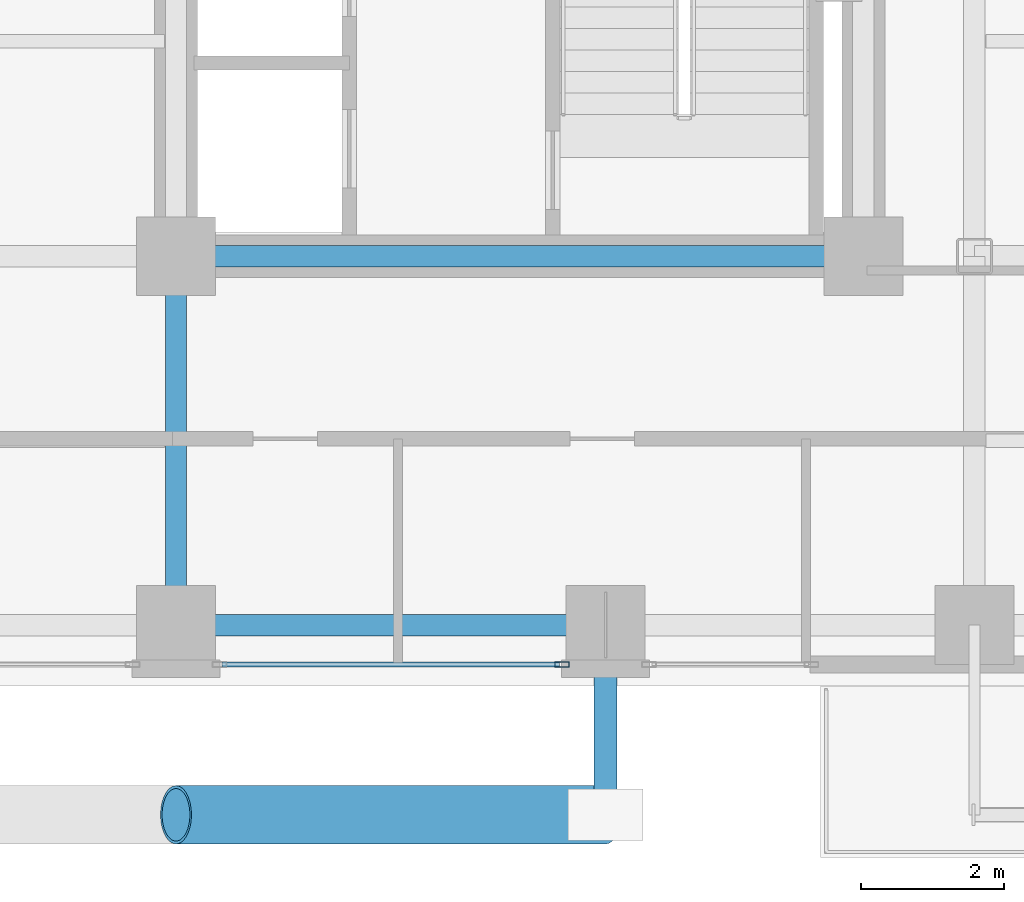
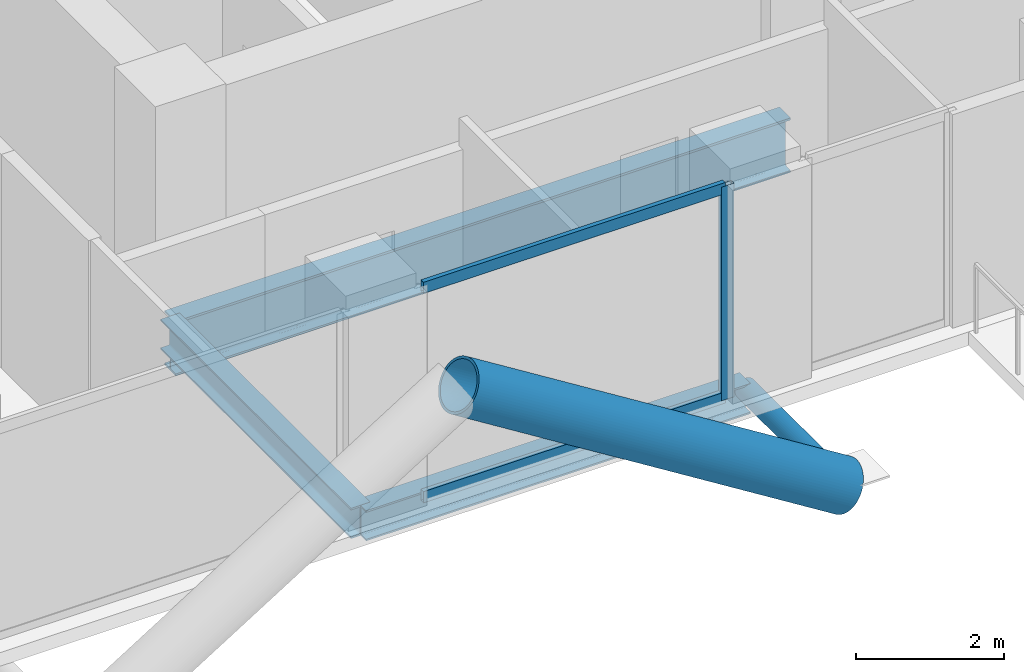
# One storey, part 5 of 28: 5 members, 3 beams, 1 element without a shape of its own.
"""IFC4 building model written with IfcOpenShell, lengths in metres."""

from ifc_helpers import new_model, si_unit, direction, frame, origin, origin_2d, place, context, subcontext, project, spatial, hollow_rectangle, hollow_circle, i_section, extrude, material, layer, layer_set, material_profile, profile_set, type_object, element, aggregate, save


model = new_model("IFC4")

# Units and contexts
model_context = context("Model", 3, precision=1e-05, world=origin(), true_north=direction((0.0, 1.0)))
body_context = subcontext(model_context, "Body", "Model", "MODEL_VIEW")
ifc_project = project(units=[si_unit("LENGTHUNIT", "METRE"), si_unit("AREAUNIT", "SQUARE_METRE"), si_unit("VOLUMEUNIT", "CUBIC_METRE"), si_unit("PLANEANGLEUNIT", "RADIAN"), si_unit("MASSUNIT", "GRAM", prefix="KILO"), si_unit("THERMODYNAMICTEMPERATUREUNIT", "KELVIN"), si_unit("POWERUNIT", "WATT")], contexts=[model_context])

# Site, building, storey
site_placement = place(None, origin())
site = spatial("IfcSite", under=ifc_project, at=site_placement, CompositionType="ELEMENT")
building_placement = place(site_placement, origin())
building = spatial("IfcBuilding", under=site, at=building_placement, Name="Svarakhadi Broadcast Tower", CompositionType="ELEMENT")
storey_placement = place(building_placement, frame((0.0, 0.0, 149.39990234375)))
storey = spatial("IfcBuildingStorey", under=building, at=storey_placement, Name="L36", CompositionType="ELEMENT", Elevation=149.39990234375)

# Curtain wall, members
ifc_material_1 = material(Name="Anodised Bronze Aluminium AA 6063-T6", Category="aluminium")
ifc_layer = layer(ifc_material_1, 0.199951171875)
ifc_layer_set = layer_set([ifc_layer], Name="Anodised Bronze Aluminium AA 6063-T6")
curtain_wall_type = type_object("IfcCurtainWallType", Name="CW_Sys_03", PredefinedType="NOTDEFINED", material=ifc_layer_set)
curtain_wall_placement = place(storey_placement, origin())
curtain_wall = element("IfcCurtainWall", 1, at=curtain_wall_placement, inside=storey, type_object=curtain_wall_type, Name="L36 South Curtain Wall 17 Bay 2", PredefinedType="NOTDEFINED")
ifc_material_profile_1 = material_profile(ifc_material_1, hollow_rectangle(XDim=0.074951171875, YDim=0.199951171875, WallThickness=0.005615234375, at=origin_2d()), Name="ALU MULLION 200x75x6")
ifc_profile_set_1 = profile_set([ifc_material_profile_1], Name="Anodised Bronze Aluminium AA 6063-T6")
member_type_1 = type_object("IfcMemberType", Name="CW_Sys_03_Mul", PredefinedType="MULLION", material=ifc_profile_set_1)
member_1_placement = place(storey_placement, frame((29.392578125, 0.300048828125, 0.0), z_axis=(0.0, 0.0, 1.0), x_axis=(0.0, -1.0, 0.0)))
member_1 = element("IfcMember", 2, at=member_1_placement, type_object=member_type_1, Name="CW-03 mullion 1", PredefinedType="MULLION", context=body_context, shape_type="SweptSolid", body=[
    extrude(hollow_rectangle(XDim=0.074951171875, YDim=0.199951171875, WallThickness=0.005615234375, at=origin_2d()), origin(), (0.0, 0.0, 1.0), 3.525146484375),
])
ifc_material_profile_2 = material_profile(ifc_material_1, hollow_rectangle(XDim=0.070068359375, YDim=0.18505859375, WallThickness=0.0048828125, at=origin_2d()), Name="ALU TRANSOM 185x70x5")
ifc_profile_set_2 = profile_set([ifc_material_profile_2], Name="Anodised Bronze Aluminium AA 6063-T6")
member_type_2 = type_object("IfcMemberType", Name="CW_Sys_03_Trn", PredefinedType="USERDEFINED", material=ifc_profile_set_2)
member_2_placement = place(storey_placement, frame((29.35498046875, 0.300048828125, 0.03515625), z_axis=(-1.0, 0.0, 0.0), x_axis=(0.0, -1.0, 0.0)))
member_2 = element("IfcMember", 3, at=member_2_placement, type_object=member_type_2, Name="CW-03 transom 1.1", ObjectType="TRANSOM", PredefinedType="USERDEFINED", context=body_context, shape_type="SweptSolid", body=[
    extrude(hollow_rectangle(XDim=0.070068359375, YDim=0.18505859375, WallThickness=0.0048828125, at=origin_2d()), origin(), (0.0, 0.0, 1.0), 4.7099609375),
])
member_3_placement = place(storey_placement, frame((29.35498046875, 0.300048828125, 3.489990234375), z_axis=(-1.0, 0.0, 0.0), x_axis=(0.0, -1.0, 0.0)))
member_3 = element("IfcMember", 4, at=member_3_placement, type_object=member_type_2, Name="CW-03 transom 1.2", ObjectType="TRANSOM", PredefinedType="USERDEFINED", context=body_context, shape_type="SweptSolid", body=[
    extrude(hollow_rectangle(XDim=0.070068359375, YDim=0.18505859375, WallThickness=0.0048828125, at=origin_2d()), origin(), (0.0, 0.0, 1.0), 4.7099609375),
])
aggregate(curtain_wall, [member_1, member_2, member_3])

# Members
ifc_material_2 = material(Name="Steel S460ML (IS 2062 E450BR)", Category="steel")
ifc_material_profile_3 = material_profile(ifc_material_2, hollow_circle(Radius=0.406494140625, WallThickness=0.0400390625, at=origin_2d()), Name="CHS 813x40")
ifc_profile_set_3 = profile_set([ifc_material_profile_3], Name="Steel S460ML (IS 2062 E450BR)")
member_type_3 = type_object("IfcMemberType", Name="Exo_Brace_CHS813", PredefinedType="BRACE", material=ifc_profile_set_3)
member_4_placement = place(storey_placement, frame((30.0, -1.800048828125, -0.386962890625), z_axis=(-0.847998304005, 0.0, 0.529998940003), x_axis=(0.0, -1.0, 0.0)))
element("IfcMember", 5, at=member_4_placement, inside=storey, type_object=member_type_3, Name="L36 Exposed Bronze Exoskeleton Diagonal S04", PredefinedType="BRACE", context=body_context, shape_type="SweptSolid", body=[
    extrude(hollow_circle(Radius=0.406494140625, WallThickness=0.0400390625, at=origin_2d()), origin(), (0.0, 0.0, 1.0), 7.075439453125),
])
ifc_material_profile_4 = material_profile(ifc_material_2, hollow_circle(Radius=0.161865234375, WallThickness=0.01611328125, at=origin_2d()), Name="CHS 323.9x16")
ifc_profile_set_4 = profile_set([ifc_material_profile_4], Name="Steel S460ML (IS 2062 E450BR)")
member_type_4 = type_object("IfcMemberType", Name="Exo_Radial_Strut_Z2", PredefinedType="STRUT", material=ifc_profile_set_4)
member_5_placement = place(storey_placement, frame((30.0, -1.800048828125, -0.386962890625), z_axis=(0.0, 1.0, 0.0), x_axis=(-1.0, 0.0, 0.0)))
element("IfcMember", 6, at=member_5_placement, inside=storey, type_object=member_type_4, Name="L36 Exoskeleton Radial Tie Strut S03", PredefinedType="STRUT", context=body_context, shape_type="SweptSolid", body=[
    extrude(hollow_circle(Radius=0.161865234375, WallThickness=0.01611328125, at=origin_2d()), origin(), (0.0, 0.0, 1.0), 2.650146484375),
])

# Beams
ifc_material_3 = material(Name="Steel S355J2 (IS 2062 E350C)", Category="steel")
ifc_material_profile_5 = material_profile(ifc_material_3, i_section(OverallWidth=0.300048828125, OverallDepth=0.5, WebThickness=0.014404296875, FlangeThickness=0.028076171875, FilletRadius=0.027099609375, at=origin_2d()), Name="WPB 500x300x187")
ifc_profile_set_5 = profile_set([ifc_material_profile_5], Name="Steel S355J2 (IS 2062 E350C)")
beam_type_1 = type_object("IfcBeamType", Name="Girder_WPB500", PredefinedType="USERDEFINED", material=ifc_profile_set_5)
beam_1_placement = place(storey_placement, frame((24.0, 0.85009765625, -0.474853515625), z_axis=(1.0, 0.0, 0.0), x_axis=(0.0, 1.0, 0.0)))
element("IfcBeam", 7, at=beam_1_placement, inside=storey, type_object=beam_type_1, Name="L36 Primary E-W Girder G007", ObjectType="GIRDER", PredefinedType="USERDEFINED", context=body_context, shape_type="SweptSolid", body=[
    extrude(i_section(OverallWidth=0.300048828125, OverallDepth=0.5, WebThickness=0.014404296875, FlangeThickness=0.028076171875, FilletRadius=0.027099609375, at=origin_2d()), origin(), (0.0, 0.0, 1.0), 6.0),
])
beam_2_placement = place(storey_placement, frame((24.0, 0.85009765625, -0.474853515625), z_axis=(0.0, 1.0, 0.0), x_axis=(-1.0, 0.0, 0.0)))
element("IfcBeam", 8, at=beam_2_placement, inside=storey, type_object=beam_type_1, Name="L36 Primary N-S Girder G062", ObjectType="GIRDER", PredefinedType="USERDEFINED", context=body_context, shape_type="SweptSolid", body=[
    extrude(i_section(OverallWidth=0.300048828125, OverallDepth=0.5, WebThickness=0.014404296875, FlangeThickness=0.028076171875, FilletRadius=0.027099609375, at=origin_2d()), origin(), (0.0, 0.0, 1.0), 5.14990234375),
])
ifc_material_profile_6 = material_profile(ifc_material_2, i_section(OverallWidth=0.300048828125, OverallDepth=0.89990234375, WebThickness=0.0185546875, FlangeThickness=0.034912109375, FilletRadius=0.030029296875, at=origin_2d()), Name="WPB 900x300x291")
ifc_profile_set_6 = profile_set([ifc_material_profile_6], Name="Steel S460ML (IS 2062 E450BR)")
beam_type_2 = type_object("IfcBeamType", Name="Girder_WPB900", PredefinedType="USERDEFINED", material=ifc_profile_set_6)
beam_3_placement = place(storey_placement, frame((24.0, 6.0, -0.6748046875), z_axis=(1.0, 0.0, 0.0), x_axis=(0.0, 1.0, 0.0)))
element("IfcBeam", 9, at=beam_3_placement, inside=storey, type_object=beam_type_2, Name="L36 Primary E-W Girder G014", ObjectType="GIRDER", PredefinedType="USERDEFINED", context=body_context, shape_type="SweptSolid", body=[
    extrude(i_section(OverallWidth=0.300048828125, OverallDepth=0.89990234375, WebThickness=0.0185546875, FlangeThickness=0.034912109375, FilletRadius=0.030029296875, at=origin_2d()), origin(), (0.0, 0.0, 1.0), 9.60009765625),
])

save(model, "model.ifc")
